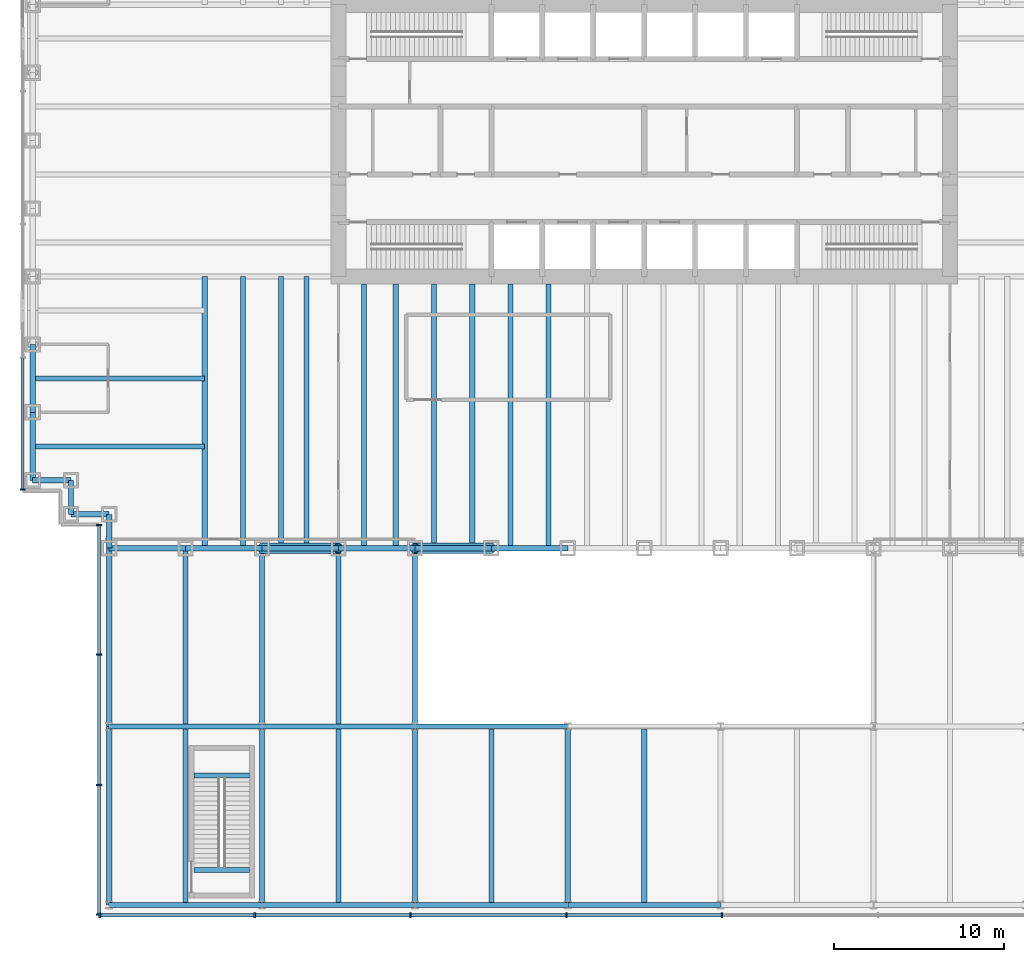
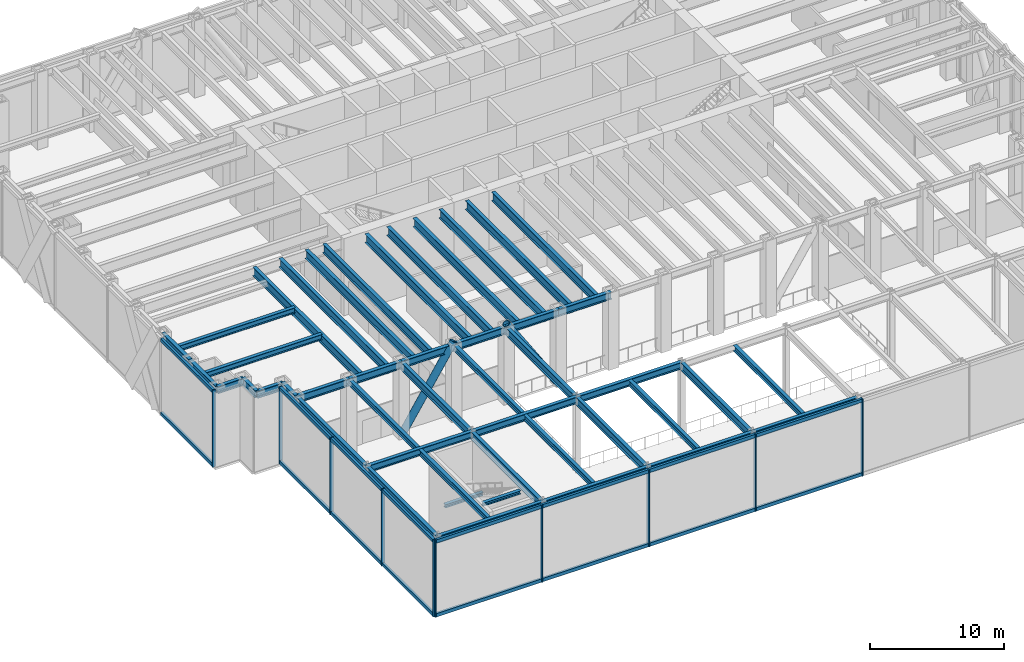
# One storey, part 3 of 17: 46 beams, 28 members, 3 elements without a shape of their own.
"""IFC4 building model written with IfcOpenShell, lengths in metres."""

from ifc_helpers import new_model, si_unit, direction, frame, origin, origin_2d, place, context, subcontext, project, spatial, rectangle, hollow_circle, i_section, extrude, material, material_profile, profile_set, type_object, element, aggregate, save


model = new_model("IFC4")

# Units and contexts
model_context = context("Model", 3, precision=1e-05, world=origin(), true_north=direction((0.0, 1.0)))
body_context = subcontext(model_context, "Body", "Model", "MODEL_VIEW")
ifc_project = project(units=[si_unit("LENGTHUNIT", "METRE"), si_unit("AREAUNIT", "SQUARE_METRE"), si_unit("VOLUMEUNIT", "CUBIC_METRE"), si_unit("PLANEANGLEUNIT", "RADIAN"), si_unit("MASSUNIT", "GRAM", prefix="KILO")], contexts=[model_context])

# Site, building, storey
site_placement = place(None, origin())
site = spatial("IfcSite", under=ifc_project, at=site_placement, CompositionType="ELEMENT")
building_placement = place(site_placement, origin())
building = spatial("IfcBuilding", under=site, at=building_placement, Name="Rheinbord Bourse Tower", CompositionType="ELEMENT")
storey_placement = place(building_placement, frame((0.0, 0.0, 6.0)))
storey = spatial("IfcBuildingStorey", under=building, at=storey_placement, Name="L01", CompositionType="ELEMENT", Elevation=6.0)

# Curtain wall, members
ifc_material_1 = material(Name="Dark glass and black aluminium", Category="aluminium")
curtain_wall_type = type_object("IfcCurtainWallType", Name="CW4 DARK GLASS CURTAIN WALL", PredefinedType="USERDEFINED", material=ifc_material_1)
curtain_wall_1_placement = place(storey_placement, origin())
curtain_wall_1 = element("IfcCurtainWall", 1, at=curtain_wall_1_placement, inside=storey, type_object=curtain_wall_type, Name="Curtain wall CW4 S L01", ObjectType="UNITISED CURTAIN WALL", PredefinedType="USERDEFINED")
ifc_material_2 = material(Name="Black anodised aluminium", Category="aluminium")
ifc_material_profile_1 = material_profile(ifc_material_2, rectangle(XDim=0.300048828125, YDim=0.090087890625, at=origin_2d()), Name="CW4 MULLION 90x300")
ifc_profile_set_1 = profile_set([ifc_material_profile_1], Name="Black anodised aluminium")
member_type_1 = type_object("IfcMemberType", Name="CW4 BLACK MULLION", PredefinedType="MULLION", material=ifc_profile_set_1)
member_1_placement = place(storey_placement, frame((3.945068359375, -21.60009765625, 0.0), z_axis=(0.0, 0.0, 1.0), x_axis=(0.0, 1.0, 0.0)))
member_1 = element("IfcMember", 2, at=member_1_placement, type_object=member_type_1, Name="CW4 mullion 1", PredefinedType="MULLION", context=body_context, shape_type="SweptSolid", body=[
    extrude(rectangle(XDim=0.300048828125, YDim=0.090087890625, at=origin_2d()), origin(), (0.0, 0.0, 1.0), 7.0),
])
member_2_placement = place(storey_placement, frame((13.071533203125, -21.60009765625, 0.0), z_axis=(0.0, 0.0, 1.0), x_axis=(0.0, 1.0, 0.0)))
member_2 = element("IfcMember", 3, at=member_2_placement, type_object=member_type_1, Name="CW4 mullion 2", PredefinedType="MULLION", context=body_context, shape_type="SweptSolid", body=[
    extrude(rectangle(XDim=0.300048828125, YDim=0.090087890625, at=origin_2d()), origin(), (0.0, 0.0, 1.0), 7.0),
])
member_3_placement = place(storey_placement, frame((22.242919921875, -21.60009765625, 0.0), z_axis=(0.0, 0.0, 1.0), x_axis=(0.0, 1.0, 0.0)))
member_3 = element("IfcMember", 4, at=member_3_placement, type_object=member_type_1, Name="CW4 mullion 3", PredefinedType="MULLION", context=body_context, shape_type="SweptSolid", body=[
    extrude(rectangle(XDim=0.300048828125, YDim=0.090087890625, at=origin_2d()), origin(), (0.0, 0.0, 1.0), 7.0),
])
member_4_placement = place(storey_placement, frame((31.414306640625, -21.60009765625, 0.0), z_axis=(0.0, 0.0, 1.0), x_axis=(0.0, 1.0, 0.0)))
member_4 = element("IfcMember", 5, at=member_4_placement, type_object=member_type_1, Name="CW4 mullion 4", PredefinedType="MULLION", context=body_context, shape_type="SweptSolid", body=[
    extrude(rectangle(XDim=0.300048828125, YDim=0.090087890625, at=origin_2d()), origin(), (0.0, 0.0, 1.0), 7.0),
])
member_5_placement = place(storey_placement, frame((40.585693359375, -21.60009765625, 0.0), z_axis=(0.0, 0.0, 1.0), x_axis=(0.0, 1.0, 0.0)))
member_5 = element("IfcMember", 6, at=member_5_placement, type_object=member_type_1, Name="CW4 mullion 5", PredefinedType="MULLION", context=body_context, shape_type="SweptSolid", body=[
    extrude(rectangle(XDim=0.300048828125, YDim=0.090087890625, at=origin_2d()), origin(), (0.0, 0.0, 1.0), 7.0),
])

# Curtain wall, member
curtain_wall_2_placement = place(storey_placement, origin())
curtain_wall_2 = element("IfcCurtainWall", 7, at=curtain_wall_2_placement, inside=storey, type_object=curtain_wall_type, Name="Curtain wall CW4 W L01", ObjectType="UNITISED CURTAIN WALL", PredefinedType="USERDEFINED")
member_6_placement = place(storey_placement, frame((-0.60009765625, 3.445068359375, 0.0), z_axis=(0.0, 0.0, 1.0), x_axis=(1.0, 0.0, 0.0)))
member_6 = element("IfcMember", 8, at=member_6_placement, type_object=member_type_1, Name="CW4 mullion 6", PredefinedType="MULLION", context=body_context, shape_type="SweptSolid", body=[
    extrude(rectangle(XDim=0.300048828125, YDim=0.090087890625, at=origin_2d()), origin(), (0.0, 0.0, 1.0), 7.0),
])

# Curtain wall, members
curtain_wall_3_placement = place(storey_placement, origin())
curtain_wall_3 = element("IfcCurtainWall", 9, at=curtain_wall_3_placement, inside=storey, type_object=curtain_wall_type, Name="Curtain wall CW4 W L01", ObjectType="UNITISED CURTAIN WALL", PredefinedType="USERDEFINED")
member_7_placement = place(storey_placement, frame((3.89990234375, 1.35498046875, 0.0), z_axis=(0.0, 0.0, 1.0), x_axis=(1.0, 0.0, 0.0)))
member_7 = element("IfcMember", 10, at=member_7_placement, type_object=member_type_1, Name="CW4 mullion 1", PredefinedType="MULLION", context=body_context, shape_type="SweptSolid", body=[
    extrude(rectangle(XDim=0.300048828125, YDim=0.090087890625, at=origin_2d()), origin(), (0.0, 0.0, 1.0), 7.0),
])
member_8_placement = place(storey_placement, frame((3.89990234375, -6.2666015625, 0.0), z_axis=(0.0, 0.0, 1.0), x_axis=(1.0, 0.0, 0.0)))
member_8 = element("IfcMember", 11, at=member_8_placement, type_object=member_type_1, Name="CW4 mullion 2", PredefinedType="MULLION", context=body_context, shape_type="SweptSolid", body=[
    extrude(rectangle(XDim=0.300048828125, YDim=0.090087890625, at=origin_2d()), origin(), (0.0, 0.0, 1.0), 7.0),
])
member_9_placement = place(storey_placement, frame((3.89990234375, -13.933349609375, 0.0), z_axis=(0.0, 0.0, 1.0), x_axis=(1.0, 0.0, 0.0)))
member_9 = element("IfcMember", 12, at=member_9_placement, type_object=member_type_1, Name="CW4 mullion 3", PredefinedType="MULLION", context=body_context, shape_type="SweptSolid", body=[
    extrude(rectangle(XDim=0.300048828125, YDim=0.090087890625, at=origin_2d()), origin(), (0.0, 0.0, 1.0), 7.0),
])
member_10_placement = place(storey_placement, frame((3.89990234375, -21.554931640625, 0.0), z_axis=(0.0, 0.0, 1.0), x_axis=(1.0, 0.0, 0.0)))
member_10 = element("IfcMember", 13, at=member_10_placement, type_object=member_type_1, Name="CW4 mullion 4", PredefinedType="MULLION", context=body_context, shape_type="SweptSolid", body=[
    extrude(rectangle(XDim=0.300048828125, YDim=0.090087890625, at=origin_2d()), origin(), (0.0, 0.0, 1.0), 7.0),
])

# Member
ifc_material_3 = material(Name="Black anodised aluminium", Category="aluminium")
ifc_material_profile_2 = material_profile(ifc_material_3, rectangle(XDim=0.199951171875, YDim=0.300048828125, at=origin_2d()), Name="CW4 TRANSOM 300x200")
ifc_profile_set_2 = profile_set([ifc_material_profile_2], Name="Black anodised aluminium")
member_type_2 = type_object("IfcMemberType", Name="CW4 BLACK TRANSOM", PredefinedType="USERDEFINED", material=ifc_profile_set_2)
member_11_placement = place(storey_placement, frame((3.989990234375, -21.60009765625, 0.14990234375), z_axis=(1.0, 0.0, 0.0), x_axis=(0.0, 1.0, 0.0)))
member_11 = element("IfcMember", 14, at=member_11_placement, type_object=member_type_2, Name="CW4 transom 1.1", ObjectType="TRANSOM", PredefinedType="USERDEFINED", context=body_context, shape_type="SweptSolid", body=[
    extrude(rectangle(XDim=0.199951171875, YDim=0.300048828125, at=origin_2d()), origin(), (0.0, 0.0, 1.0), 9.036376953125),
])

member_12_placement = place(storey_placement, frame((3.989990234375, -21.60009765625, 6.85009765625), z_axis=(1.0, 0.0, 0.0), x_axis=(0.0, 1.0, 0.0)))
member_12 = element("IfcMember", 15, at=member_12_placement, type_object=member_type_2, Name="CW4 transom 1.2", ObjectType="TRANSOM", PredefinedType="USERDEFINED", context=body_context, shape_type="SweptSolid", body=[
    extrude(rectangle(XDim=0.199951171875, YDim=0.300048828125, at=origin_2d()), origin(), (0.0, 0.0, 1.0), 9.036376953125),
])

member_13_placement = place(storey_placement, frame((13.116455078125, -21.60009765625, 0.14990234375), z_axis=(1.0, 0.0, 0.0), x_axis=(0.0, 1.0, 0.0)))
member_13 = element("IfcMember", 16, at=member_13_placement, type_object=member_type_2, Name="CW4 transom 2.1", ObjectType="TRANSOM", PredefinedType="USERDEFINED", context=body_context, shape_type="SweptSolid", body=[
    extrude(rectangle(XDim=0.199951171875, YDim=0.300048828125, at=origin_2d()), origin(), (0.0, 0.0, 1.0), 9.081298828125),
])

member_14_placement = place(storey_placement, frame((13.116455078125, -21.60009765625, 6.85009765625), z_axis=(1.0, 0.0, 0.0), x_axis=(0.0, 1.0, 0.0)))
member_14 = element("IfcMember", 17, at=member_14_placement, type_object=member_type_2, Name="CW4 transom 2.2", ObjectType="TRANSOM", PredefinedType="USERDEFINED", context=body_context, shape_type="SweptSolid", body=[
    extrude(rectangle(XDim=0.199951171875, YDim=0.300048828125, at=origin_2d()), origin(), (0.0, 0.0, 1.0), 9.081298828125),
])

member_15_placement = place(storey_placement, frame((22.287841796875, -21.60009765625, 0.14990234375), z_axis=(1.0, 0.0, 0.0), x_axis=(0.0, 1.0, 0.0)))
member_15 = element("IfcMember", 18, at=member_15_placement, type_object=member_type_2, Name="CW4 transom 3.1", ObjectType="TRANSOM", PredefinedType="USERDEFINED", context=body_context, shape_type="SweptSolid", body=[
    extrude(rectangle(XDim=0.199951171875, YDim=0.300048828125, at=origin_2d()), origin(), (0.0, 0.0, 1.0), 9.08154296875),
])

member_16_placement = place(storey_placement, frame((22.287841796875, -21.60009765625, 6.85009765625), z_axis=(1.0, 0.0, 0.0), x_axis=(0.0, 1.0, 0.0)))
member_16 = element("IfcMember", 19, at=member_16_placement, type_object=member_type_2, Name="CW4 transom 3.2", ObjectType="TRANSOM", PredefinedType="USERDEFINED", context=body_context, shape_type="SweptSolid", body=[
    extrude(rectangle(XDim=0.199951171875, YDim=0.300048828125, at=origin_2d()), origin(), (0.0, 0.0, 1.0), 9.08154296875),
])

member_17_placement = place(storey_placement, frame((31.459228515625, -21.60009765625, 0.14990234375), z_axis=(1.0, 0.0, 0.0), x_axis=(0.0, 1.0, 0.0)))
member_17 = element("IfcMember", 20, at=member_17_placement, type_object=member_type_2, Name="CW4 transom 4.1", ObjectType="TRANSOM", PredefinedType="USERDEFINED", context=body_context, shape_type="SweptSolid", body=[
    extrude(rectangle(XDim=0.199951171875, YDim=0.300048828125, at=origin_2d()), origin(), (0.0, 0.0, 1.0), 9.08154296875),
])

member_18_placement = place(storey_placement, frame((31.459228515625, -21.60009765625, 6.85009765625), z_axis=(1.0, 0.0, 0.0), x_axis=(0.0, 1.0, 0.0)))
member_18 = element("IfcMember", 21, at=member_18_placement, type_object=member_type_2, Name="CW4 transom 4.2", ObjectType="TRANSOM", PredefinedType="USERDEFINED", context=body_context, shape_type="SweptSolid", body=[
    extrude(rectangle(XDim=0.199951171875, YDim=0.300048828125, at=origin_2d()), origin(), (0.0, 0.0, 1.0), 9.08154296875),
])

aggregate(curtain_wall_1, [member_1, member_2, member_3, member_4, member_5, member_11, member_12, member_13, member_14, member_15, member_16, member_17, member_18])

member_19_placement = place(storey_placement, frame((-0.60009765625, 11.195068359375, 0.14990234375), z_axis=(0.0, -1.0, 0.0), x_axis=(1.0, 0.0, 0.0)))
member_19 = element("IfcMember", 22, at=member_19_placement, type_object=member_type_2, Name="CW4 transom 5.1", ObjectType="TRANSOM", PredefinedType="USERDEFINED", context=body_context, shape_type="SweptSolid", body=[
    extrude(rectangle(XDim=0.199951171875, YDim=0.300048828125, at=origin_2d()), origin(), (0.0, 0.0, 1.0), 7.705078125),
])

member_20_placement = place(storey_placement, frame((-0.60009765625, 11.195068359375, 6.85009765625), z_axis=(0.0, -1.0, 0.0), x_axis=(1.0, 0.0, 0.0)))
member_20 = element("IfcMember", 23, at=member_20_placement, type_object=member_type_2, Name="CW4 transom 5.2", ObjectType="TRANSOM", PredefinedType="USERDEFINED", context=body_context, shape_type="SweptSolid", body=[
    extrude(rectangle(XDim=0.199951171875, YDim=0.300048828125, at=origin_2d()), origin(), (0.0, 0.0, 1.0), 7.705078125),
])

aggregate(curtain_wall_2, [member_6, member_19, member_20])

member_21_placement = place(storey_placement, frame((3.89990234375, 1.31005859375, 0.14990234375), z_axis=(0.0, -1.0, 0.0), x_axis=(1.0, 0.0, 0.0)))
member_21 = element("IfcMember", 24, at=member_21_placement, type_object=member_type_2, Name="CW4 transom 1.1", ObjectType="TRANSOM", PredefinedType="USERDEFINED", context=body_context, shape_type="SweptSolid", body=[
    extrude(rectangle(XDim=0.199951171875, YDim=0.300048828125, at=origin_2d()), origin(), (0.0, 0.0, 1.0), 7.53173828125),
])

member_22_placement = place(storey_placement, frame((3.89990234375, 1.31005859375, 6.85009765625), z_axis=(0.0, -1.0, 0.0), x_axis=(1.0, 0.0, 0.0)))
member_22 = element("IfcMember", 25, at=member_22_placement, type_object=member_type_2, Name="CW4 transom 1.2", ObjectType="TRANSOM", PredefinedType="USERDEFINED", context=body_context, shape_type="SweptSolid", body=[
    extrude(rectangle(XDim=0.199951171875, YDim=0.300048828125, at=origin_2d()), origin(), (0.0, 0.0, 1.0), 7.53173828125),
])

member_23_placement = place(storey_placement, frame((3.89990234375, -6.311767578125, 0.14990234375), z_axis=(0.0, -1.0, 0.0), x_axis=(1.0, 0.0, 0.0)))
member_23 = element("IfcMember", 26, at=member_23_placement, type_object=member_type_2, Name="CW4 transom 2.1", ObjectType="TRANSOM", PredefinedType="USERDEFINED", context=body_context, shape_type="SweptSolid", body=[
    extrude(rectangle(XDim=0.199951171875, YDim=0.300048828125, at=origin_2d()), origin(), (0.0, 0.0, 1.0), 7.57666015625),
])

member_24_placement = place(storey_placement, frame((3.89990234375, -6.311767578125, 6.85009765625), z_axis=(0.0, -1.0, 0.0), x_axis=(1.0, 0.0, 0.0)))
member_24 = element("IfcMember", 27, at=member_24_placement, type_object=member_type_2, Name="CW4 transom 2.2", ObjectType="TRANSOM", PredefinedType="USERDEFINED", context=body_context, shape_type="SweptSolid", body=[
    extrude(rectangle(XDim=0.199951171875, YDim=0.300048828125, at=origin_2d()), origin(), (0.0, 0.0, 1.0), 7.57666015625),
])

member_25_placement = place(storey_placement, frame((3.89990234375, -13.978271484375, 0.14990234375), z_axis=(0.0, -1.0, 0.0), x_axis=(1.0, 0.0, 0.0)))
member_25 = element("IfcMember", 28, at=member_25_placement, type_object=member_type_2, Name="CW4 transom 3.1", ObjectType="TRANSOM", PredefinedType="USERDEFINED", context=body_context, shape_type="SweptSolid", body=[
    extrude(rectangle(XDim=0.199951171875, YDim=0.300048828125, at=origin_2d()), origin(), (0.0, 0.0, 1.0), 7.53173828125),
])

member_26_placement = place(storey_placement, frame((3.89990234375, -13.978271484375, 6.85009765625), z_axis=(0.0, -1.0, 0.0), x_axis=(1.0, 0.0, 0.0)))
member_26 = element("IfcMember", 29, at=member_26_placement, type_object=member_type_2, Name="CW4 transom 3.2", ObjectType="TRANSOM", PredefinedType="USERDEFINED", context=body_context, shape_type="SweptSolid", body=[
    extrude(rectangle(XDim=0.199951171875, YDim=0.300048828125, at=origin_2d()), origin(), (0.0, 0.0, 1.0), 7.53173828125),
])

aggregate(curtain_wall_3, [member_7, member_8, member_9, member_10, member_21, member_22, member_23, member_24, member_25, member_26])

# Beams
ifc_material_4 = material(Name="Steel S460", Category="steel")
ifc_material_profile_3 = material_profile(ifc_material_4, i_section(OverallWidth=0.300048828125, OverallDepth=0.800048828125, WebThickness=0.017578125, FlangeThickness=0.032958984375, at=origin_2d()), Name="HEB 800")
ifc_profile_set_3 = profile_set([ifc_material_profile_3], Name="Steel S460")
beam_type_1 = type_object("IfcBeamType", Name="FLOOR BEAM HEB 800", PredefinedType="BEAM", material=ifc_profile_set_3)
for number, where, z_axis, x_axis, name in (
    (30, (10.125, 0.0, 6.419921875), (0.0, 1.0, 0.0), (-1.0, 0.0, 0.0), "Floor beam S-9a L02"),
    (31, (12.375, 0.0, 6.419921875), (0.0, 1.0, 0.0), (-1.0, 0.0, 0.0), "Floor beam S-9b L02"),
    (32, (14.625, 0.0, 6.419921875), (0.0, 1.0, 0.0), (-1.0, 0.0, 0.0), "Floor beam S-13.5a L02"),
    (33, (16.125, 0.0, 6.419921875), (0.0, 1.0, 0.0), (-1.0, 0.0, 0.0), "Floor beam S-13.5b L02"),
):
    element("IfcBeam", number, at=place(storey_placement, frame(where, z_axis=z_axis, x_axis=x_axis)), inside=storey, type_object=beam_type_1, Name=name, PredefinedType="BEAM", context=body_context, shape_type="SweptSolid", body=[
        extrude(i_section(OverallWidth=0.300048828125, OverallDepth=0.800048828125, WebThickness=0.017578125, FlangeThickness=0.032958984375, at=origin_2d()), origin(), (0.0, 0.0, 1.0), 16.0),
    ])
for number, where, z_axis, x_axis, name in (
    (34, (19.5, 0.0, 6.419921875), (0.0, 1.0, 0.0), (-1.0, 0.0, 0.0), "Floor beam S-18a L02"),
    (35, (21.375, 0.0, 6.419921875), (0.0, 1.0, 0.0), (-1.0, 0.0, 0.0), "Floor beam S-18b L02"),
    (36, (23.625, 0.0, 6.419921875), (0.0, 1.0, 0.0), (-1.0, 0.0, 0.0), "Floor beam S-22.5a L02"),
    (37, (25.875, 0.0, 6.419921875), (0.0, 1.0, 0.0), (-1.0, 0.0, 0.0), "Floor beam S-22.5b L02"),
    (38, (28.125, 0.0, 6.419921875), (0.0, 1.0, 0.0), (-1.0, 0.0, 0.0), "Floor beam S-27a L02"),
    (39, (30.375, 0.0, 6.419921875), (0.0, 1.0, 0.0), (-1.0, 0.0, 0.0), "Floor beam S-27b L02"),
):
    element("IfcBeam", number, at=place(storey_placement, frame(where, z_axis=z_axis, x_axis=x_axis)), inside=storey, type_object=beam_type_1, Name=name, PredefinedType="BEAM", context=body_context, shape_type="SweptSolid", body=[
        extrude(i_section(OverallWidth=0.300048828125, OverallDepth=0.800048828125, WebThickness=0.017578125, FlangeThickness=0.032958984375, at=origin_2d()), origin(), (0.0, 0.0, 1.0), 15.550048828125),
    ])
ifc_material_5 = material(Name="Steel S460", Category="steel")
ifc_material_profile_4 = material_profile(ifc_material_5, i_section(OverallWidth=0.300048828125, OverallDepth=0.300048828125, WebThickness=0.010986328125, FlangeThickness=0.01904296875, at=origin_2d()), Name="HEB 300")
ifc_profile_set_4 = profile_set([ifc_material_profile_4], Name="Steel S460")
beam_type_2 = type_object("IfcBeamType", Name="LANDING TRIMMER HEB 300", PredefinedType="BEAM", material=ifc_profile_set_4)
for number, where, z_axis, x_axis, name in (
    (40, (9.5, -13.3798828125, 3.14990234375), (1.0, 0.0, 0.0), (0.0, 1.0, 0.0), "Landing trimmer ST5 L01"),
    (41, (9.5, -18.949951171875, 6.669921875), (1.0, 0.0, 0.0), (0.0, 1.0, 0.0), "Well trimmer ST5 under L02"),
):
    element("IfcBeam", number, at=place(storey_placement, frame(where, z_axis=z_axis, x_axis=x_axis)), inside=storey, type_object=beam_type_2, Name=name, PredefinedType="BEAM", context=body_context, shape_type="SweptSolid", body=[
        extrude(i_section(OverallWidth=0.300048828125, OverallDepth=0.300048828125, WebThickness=0.010986328125, FlangeThickness=0.01904296875, at=origin_2d()), origin(), (0.0, 0.0, 1.0), 3.25),
    ])

# Members
ifc_material_6 = material(Name="Steel S460", Category="steel")
ifc_material_profile_5 = material_profile(ifc_material_6, hollow_circle(Radius=0.304931640625, WallThickness=0.050048828125, at=origin_2d()), Name="CHS 610x50")
ifc_profile_set_5 = profile_set([ifc_material_profile_5], Name="Steel S460")
member_type_3 = type_object("IfcMemberType", Name="MEGABRACE CHS 610x50", PredefinedType="BRACE", material=ifc_profile_set_5)
for number, where, z_axis, x_axis, name in (
    (42, (13.5, 0.0, 0.0), (0.540757591313, 0.0, 0.841178475377), (0.0, 1.0, 0.0), "Megabrace S face line a L01"),
    (43, (27.0, 0.0, 0.0), (-0.540757591313, 0.0, 0.841178475377), (0.0, -1.0, 0.0), "Megabrace S face line d L01"),
):
    element("IfcMember", number, at=place(storey_placement, frame(where, z_axis=z_axis, x_axis=x_axis)), inside=storey, type_object=member_type_3, Name=name, PredefinedType="BRACE", context=body_context, shape_type="SweptSolid", body=[
        extrude(hollow_circle(Radius=0.304931640625, WallThickness=0.050048828125, at=origin_2d()), origin(), (0.0, 0.0, 1.0), 8.32177734375),
    ])

# Beams
ifc_material_7 = material(Name="Steel S460", Category="steel")
ifc_material_profile_6 = material_profile(ifc_material_7, i_section(OverallWidth=0.304931640625, OverallDepth=0.6201171875, WebThickness=0.02099609375, FlangeThickness=0.0400390625, at=origin_2d()), Name="HEM 600")
ifc_profile_set_6 = profile_set([ifc_material_profile_6], Name="Steel S460")
beam_type_3 = type_object("IfcBeamType", Name="PODIUM EDGE BEAM HEM 600", PredefinedType="BEAM", material=ifc_profile_set_6)
for number, where, z_axis, x_axis, name in (
    (44, (4.5, -21.0, 6.510009765625), (1.0, 0.0, 0.0), (0.0, 1.0, 0.0), "Podium edge beam 4.5-13.5 L02"),
    (45, (4.5, -10.5, 6.510009765625), (1.0, 0.0, 0.0), (0.0, 1.0, 0.0), "Podium edge beam 4.5-13.5 L02"),
    (46, (13.5, -21.0, 6.510009765625), (1.0, 0.0, 0.0), (0.0, 1.0, 0.0), "Podium edge beam 13.5-22.5 L02"),
    (47, (13.5, -10.5, 6.510009765625), (1.0, 0.0, 0.0), (0.0, 1.0, 0.0), "Podium edge beam 13.5-22.5 L02"),
    (48, (22.5, -21.0, 6.510009765625), (1.0, 0.0, 0.0), (0.0, 1.0, 0.0), "Podium edge beam 22.5-31.5 L02"),
    (49, (22.5, -10.5, 6.510009765625), (1.0, 0.0, 0.0), (0.0, 1.0, 0.0), "Podium edge beam 22.5-31.5 L02"),
    (50, (31.5, -21.0, 6.510009765625), (1.0, 0.0, 0.0), (0.0, 1.0, 0.0), "Podium edge beam 31.5-40.5 L02"),
):
    element("IfcBeam", number, at=place(storey_placement, frame(where, z_axis=z_axis, x_axis=x_axis)), inside=storey, type_object=beam_type_3, Name=name, PredefinedType="BEAM", context=body_context, shape_type="SweptSolid", body=[
        extrude(i_section(OverallWidth=0.304931640625, OverallDepth=0.6201171875, WebThickness=0.02099609375, FlangeThickness=0.0400390625, at=origin_2d()), origin(), (0.0, 0.0, 1.0), 9.0),
    ])
ifc_material_8 = material(Name="Steel S460", Category="steel")
ifc_material_profile_7 = material_profile(ifc_material_8, i_section(OverallWidth=0.303955078125, OverallDepth=0.716064453125, WebThickness=0.02099609375, FlangeThickness=0.0400390625, at=origin_2d()), Name="HEM 700")
ifc_profile_set_7 = profile_set([ifc_material_profile_7], Name="Steel S460")
beam_type_4 = type_object("IfcBeamType", Name="PODIUM GIRDER HEM 700", PredefinedType="BEAM", material=ifc_profile_set_7)
for number, where, z_axis, x_axis, name in (
    (51, (4.5, -21.0, 6.4619140625), (0.0, 1.0, 0.0), (-1.0, 0.0, 0.0), "Podium girder 4.5 L02"),
    (52, (4.5, -10.5, 6.4619140625), (0.0, 1.0, 0.0), (-1.0, 0.0, 0.0), "Podium girder 4.5 L02"),
    (53, (13.5, -21.0, 6.4619140625), (0.0, 1.0, 0.0), (-1.0, 0.0, 0.0), "Podium girder 13.5 L02"),
    (54, (13.5, -10.5, 6.4619140625), (0.0, 1.0, 0.0), (-1.0, 0.0, 0.0), "Podium girder 13.5 L02"),
    (55, (22.5, -21.0, 6.4619140625), (0.0, 1.0, 0.0), (-1.0, 0.0, 0.0), "Podium girder 22.5 L02"),
    (56, (22.5, -10.5, 6.4619140625), (0.0, 1.0, 0.0), (-1.0, 0.0, 0.0), "Podium girder 22.5 L02"),
    (57, (31.5, -21.0, 6.4619140625), (0.0, 1.0, 0.0), (-1.0, 0.0, 0.0), "Podium girder 31.5 L02"),
):
    element("IfcBeam", number, at=place(storey_placement, frame(where, z_axis=z_axis, x_axis=x_axis)), inside=storey, type_object=beam_type_4, Name=name, PredefinedType="BEAM", context=body_context, shape_type="SweptSolid", body=[
        extrude(i_section(OverallWidth=0.303955078125, OverallDepth=0.716064453125, WebThickness=0.02099609375, FlangeThickness=0.0400390625, at=origin_2d()), origin(), (0.0, 0.0, 1.0), 10.5),
    ])
ifc_material_9 = material(Name="Steel S460", Category="steel")
ifc_material_profile_8 = material_profile(ifc_material_9, i_section(OverallWidth=0.300048828125, OverallDepth=0.5, WebThickness=0.014404296875, FlangeThickness=0.028076171875, at=origin_2d()), Name="HEB 500")
ifc_profile_set_8 = profile_set([ifc_material_profile_8], Name="Steel S460")
beam_type_5 = type_object("IfcBeamType", Name="PODIUM JOIST HEB 500", PredefinedType="JOIST", material=ifc_profile_set_8)
for number, where, z_axis, x_axis, name in (
    (58, (9.0, -21.0, 6.570068359375), (0.0, 1.0, 0.0), (-1.0, 0.0, 0.0), "Podium joist 9 L02"),
    (59, (9.0, -10.347412109375, 6.570068359375), (0.0, 1.0, 0.0), (-1.0, 0.0, 0.0), "Podium joist 9 L02"),
    (60, (18.0, -21.0, 6.570068359375), (0.0, 1.0, 0.0), (-1.0, 0.0, 0.0), "Podium joist 18 L02"),
    (61, (18.0, -10.347412109375, 6.570068359375), (0.0, 1.0, 0.0), (-1.0, 0.0, 0.0), "Podium joist 18 L02"),
    (62, (27.0, -21.0, 6.570068359375), (0.0, 1.0, 0.0), (-1.0, 0.0, 0.0), "Podium joist 27 L02"),
    (63, (36.0, -21.0, 6.570068359375), (0.0, 1.0, 0.0), (-1.0, 0.0, 0.0), "Podium joist 36 L02"),
):
    element("IfcBeam", number, at=place(storey_placement, frame(where, z_axis=z_axis, x_axis=x_axis)), inside=storey, type_object=beam_type_5, Name=name, PredefinedType="JOIST", context=body_context, shape_type="SweptSolid", body=[
        extrude(i_section(OverallWidth=0.300048828125, OverallDepth=0.5, WebThickness=0.014404296875, FlangeThickness=0.028076171875, at=origin_2d()), origin(), (0.0, 0.0, 1.0), 10.347412109375),
    ])
ifc_material_10 = material(Name="Steel S460", Category="steel")
ifc_material_profile_9 = material_profile(ifc_material_10, i_section(OverallWidth=0.304931640625, OverallDepth=0.66796875, WebThickness=0.02099609375, FlangeThickness=0.0400390625, at=origin_2d()), Name="HEM 650")
ifc_profile_set_9 = profile_set([ifc_material_profile_9], Name="Steel S460")
beam_type_6 = type_object("IfcBeamType", Name="SPANDREL HEM 650", PredefinedType="SPANDREL", material=ifc_profile_set_9)
for number, where, z_axis, x_axis, name in (
    (64, (4.5, 0.0, 6.486083984375), (1.0, 0.0, 0.0), (0.0, 1.0, 0.0), "Spandrel SW-E-S-9 under L02"),
    (65, (9.0, 0.0, 6.486083984375), (1.0, 0.0, 0.0), (0.0, 1.0, 0.0), "Spandrel S-9-S-13.5 under L02"),
    (66, (13.5, 0.0, 6.486083984375), (1.0, 0.0, 0.0), (0.0, 1.0, 0.0), "Spandrel S-13.5-S-18 under L02"),
    (67, (18.0, 0.0, 6.486083984375), (1.0, 0.0, 0.0), (0.0, 1.0, 0.0), "Spandrel S-18-S-22.5 under L02"),
    (68, (22.5, 0.0, 6.486083984375), (1.0, 0.0, 0.0), (0.0, 1.0, 0.0), "Spandrel S-22.5-S-27 under L02"),
    (69, (27.0, 0.0, 6.486083984375), (1.0, 0.0, 0.0), (0.0, 1.0, 0.0), "Spandrel S-27-S-31.5 under L02"),
):
    element("IfcBeam", number, at=place(storey_placement, frame(where, z_axis=z_axis, x_axis=x_axis)), inside=storey, type_object=beam_type_6, Name=name, PredefinedType="SPANDREL", context=body_context, shape_type="SweptSolid", body=[
        extrude(i_section(OverallWidth=0.304931640625, OverallDepth=0.66796875, WebThickness=0.02099609375, FlangeThickness=0.0400390625, at=origin_2d()), origin(), (0.0, 0.0, 1.0), 4.5),
    ])
for number, where, z_axis, x_axis, name in (
    (70, (0.0, 12.0, 6.486083984375), (0.0, -1.0, 0.0), (1.0, 0.0, 0.0), "Spandrel W-12-W-8 under L02"),
    (71, (0.0, 8.0, 6.486083984375), (0.0, -1.0, 0.0), (1.0, 0.0, 0.0), "Spandrel W-8-SW-A under L02"),
):
    element("IfcBeam", number, at=place(storey_placement, frame(where, z_axis=z_axis, x_axis=x_axis)), inside=storey, type_object=beam_type_6, Name=name, PredefinedType="SPANDREL", context=body_context, shape_type="SweptSolid", body=[
        extrude(i_section(OverallWidth=0.304931640625, OverallDepth=0.66796875, WebThickness=0.02099609375, FlangeThickness=0.0400390625, at=origin_2d()), origin(), (0.0, 0.0, 1.0), 4.0),
    ])
beam_1_placement = place(storey_placement, frame((0.0, 4.0, 6.486083984375), z_axis=(1.0, 0.0, 0.0), x_axis=(0.0, 1.0, 0.0)))
element("IfcBeam", 72, at=beam_1_placement, inside=storey, type_object=beam_type_6, Name="Spandrel SW-A-SW-B under L02", PredefinedType="SPANDREL", context=body_context, shape_type="SweptSolid", body=[
    extrude(i_section(OverallWidth=0.304931640625, OverallDepth=0.66796875, WebThickness=0.02099609375, FlangeThickness=0.0400390625, at=origin_2d()), origin(), (0.0, 0.0, 1.0), 2.25),
])
beam_2_placement = place(storey_placement, frame((2.25, 4.0, 6.486083984375), z_axis=(0.0, -1.0, 0.0), x_axis=(1.0, 0.0, 0.0)))
element("IfcBeam", 73, at=beam_2_placement, inside=storey, type_object=beam_type_6, Name="Spandrel SW-B-SW-C under L02", PredefinedType="SPANDREL", context=body_context, shape_type="SweptSolid", body=[
    extrude(i_section(OverallWidth=0.304931640625, OverallDepth=0.66796875, WebThickness=0.02099609375, FlangeThickness=0.0400390625, at=origin_2d()), origin(), (0.0, 0.0, 1.0), 2.0),
])
beam_3_placement = place(storey_placement, frame((2.25, 2.0, 6.486083984375), z_axis=(1.0, 0.0, 0.0), x_axis=(0.0, 1.0, 0.0)))
element("IfcBeam", 74, at=beam_3_placement, inside=storey, type_object=beam_type_6, Name="Spandrel SW-C-SW-D under L02", PredefinedType="SPANDREL", context=body_context, shape_type="SweptSolid", body=[
    extrude(i_section(OverallWidth=0.304931640625, OverallDepth=0.66796875, WebThickness=0.02099609375, FlangeThickness=0.0400390625, at=origin_2d()), origin(), (0.0, 0.0, 1.0), 2.25),
])
beam_4_placement = place(storey_placement, frame((4.5, 2.0, 6.486083984375), z_axis=(0.0, -1.0, 0.0), x_axis=(1.0, 0.0, 0.0)))
element("IfcBeam", 75, at=beam_4_placement, inside=storey, type_object=beam_type_6, Name="Spandrel SW-D-SW-E under L02", PredefinedType="SPANDREL", context=body_context, shape_type="SweptSolid", body=[
    extrude(i_section(OverallWidth=0.304931640625, OverallDepth=0.66796875, WebThickness=0.02099609375, FlangeThickness=0.0400390625, at=origin_2d()), origin(), (0.0, 0.0, 1.0), 2.0),
])
ifc_material_11 = material(Name="Steel S460", Category="steel")
ifc_material_profile_10 = material_profile(ifc_material_11, i_section(OverallWidth=0.300048828125, OverallDepth=0.5, WebThickness=0.014404296875, FlangeThickness=0.028076171875, at=origin_2d()), Name="HEB 500")
ifc_profile_set_10 = profile_set([ifc_material_profile_10], Name="Steel S460")
beam_type_7 = type_object("IfcBeamType", Name="TIE BEAM HEB 500", PredefinedType="JOIST", material=ifc_profile_set_10)
for number, where, z_axis, x_axis, name in (
    (76, (0.0, 6.0, 6.570068359375), (1.0, 0.0, 0.0), (0.0, 1.0, 0.0), "Tie west 6 L02"),
    (77, (0.0, 10.0, 6.570068359375), (1.0, 0.0, 0.0), (0.0, 1.0, 0.0), "Tie west 10 L02"),
):
    element("IfcBeam", number, at=place(storey_placement, frame(where, z_axis=z_axis, x_axis=x_axis)), inside=storey, type_object=beam_type_7, Name=name, PredefinedType="JOIST", context=body_context, shape_type="SweptSolid", body=[
        extrude(i_section(OverallWidth=0.300048828125, OverallDepth=0.5, WebThickness=0.014404296875, FlangeThickness=0.028076171875, at=origin_2d()), origin(), (0.0, 0.0, 1.0), 10.125),
    ])

save(model, "model.ifc")
